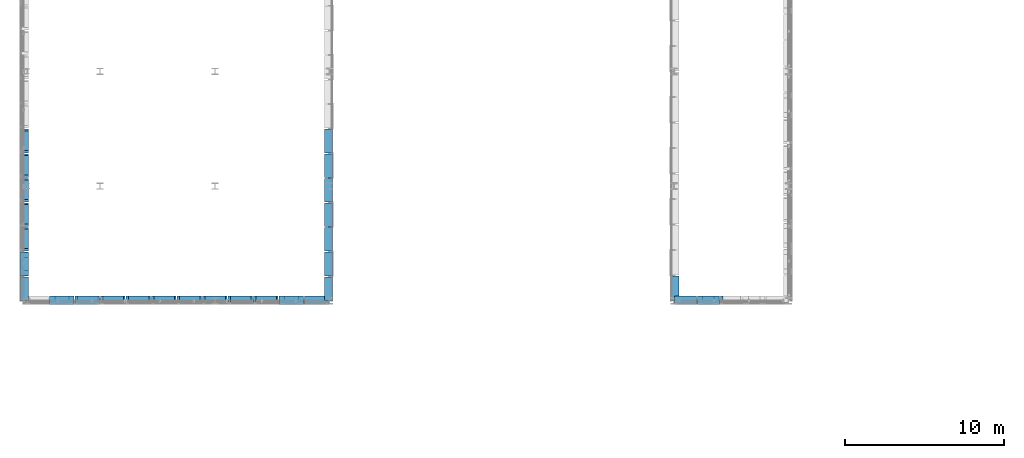
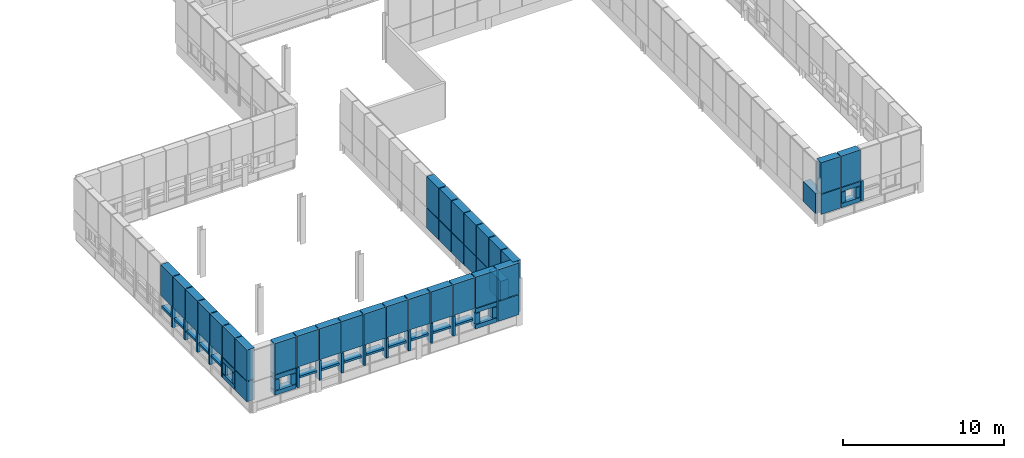
# One storey, part 63 of 96: 81 discrete accessories.
"""IFC4 building model written with IfcOpenShell, lengths in metres."""

from ifc_helpers import new_model, si_unit, direction, frame, origin, origin_2d, place, context, subcontext, project, spatial, rectangle, extrude, material, type_object, element, save


model = new_model("IFC4")

# Units and contexts
model_context = context("Model", 3, precision=1e-05, world=origin(), true_north=direction((0.0, 1.0)))
body_context = subcontext(model_context, "Body", "Model", "MODEL_VIEW")
ifc_project = project(units=[si_unit("LENGTHUNIT", "METRE"), si_unit("AREAUNIT", "SQUARE_METRE"), si_unit("VOLUMEUNIT", "CUBIC_METRE"), si_unit("PLANEANGLEUNIT", "RADIAN"), si_unit("MASSUNIT", "GRAM", prefix="KILO")], contexts=[model_context])

# Site, building, storey
site_placement = place(None, origin())
site = spatial("IfcSite", under=ifc_project, at=site_placement, CompositionType="ELEMENT")
building_placement = place(site_placement, origin())
building = spatial("IfcBuilding", under=site, at=building_placement, Name="Yarey Park Central Fire Station", CompositionType="ELEMENT")
storey_placement = place(building_placement, frame((0.0, 0.0, 14.39990234375)))
storey = spatial("IfcBuildingStorey", under=building, at=storey_placement, Name="L04", CompositionType="ELEMENT", Elevation=14.39990234375)

# Discrete accessories
ifc_material = material(Name="Stainless Steel AISI 316L", Category="steel")
discrete_accessory_type = type_object("IfcDiscreteAccessoryType", Name="ENV_BRK_SS1", PredefinedType="BRACKET", material=ifc_material)
discrete_accessory_1_placement = place(storey_placement, frame((9.64990234375, 22.371337890625, 0.875), z_axis=(0.0, 0.0, 1.0), x_axis=(1.0, 0.0, 0.0)))
element("IfcDiscreteAccessory", 1, at=discrete_accessory_1_placement, inside=storey, type_object=discrete_accessory_type, Name="BRK_PERF_L04_0004", PredefinedType="BRACKET", context=body_context, shape_type="SweptSolid", body=[
    extrude(rectangle(XDim=0.5400390625, YDim=1.48291015625, at=origin_2d()), origin(), (0.0, 0.0, 1.0), 1.52001953125),
])
discrete_accessory_2_placement = place(storey_placement, frame((9.64990234375, 22.371337890625, 2.445068359375), z_axis=(0.0, 0.0, 1.0), x_axis=(1.0, 0.0, 0.0)))
element("IfcDiscreteAccessory", 2, at=discrete_accessory_2_placement, inside=storey, type_object=discrete_accessory_type, Name="BRK_PERF_L04_0005", PredefinedType="BRACKET", context=body_context, shape_type="SweptSolid", body=[
    extrude(rectangle(XDim=0.5400390625, YDim=1.48291015625, at=origin_2d()), origin(), (0.0, 0.0, 1.0), 2.35009765625),
])
for number, where, z_axis, x_axis, name in (
    (3, (9.64990234375, 23.914306640625, 0.8701171875), (0.0, 0.0, 1.0), (1.0, 0.0, 0.0), "BRK_PERF_L04_0012"),
    (4, (9.64990234375, 23.914306640625, 2.080078125), (0.0, 0.0, 1.0), (1.0, 0.0, 0.0), "BRK_PERF_L04_0013"),
):
    element("IfcDiscreteAccessory", number, at=place(storey_placement, frame(where, z_axis=z_axis, x_axis=x_axis)), inside=storey, type_object=discrete_accessory_type, Name=name, PredefinedType="BRACKET", context=body_context, shape_type="SweptSolid", body=[
        extrude(rectangle(XDim=0.5400390625, YDim=1.48291015625, at=origin_2d()), origin(), (0.0, 0.0, 1.0), 0.320068359375),
    ])
for number, where, z_axis, x_axis, name in (
    (5, (9.64990234375, 23.343017578125, 1.23486328125), (0.0, 0.0, 1.0), (1.0, 0.0, 0.0), "BRK_PERF_L04_0014"),
    (6, (9.64990234375, 24.485595703125, 1.23486328125), (0.0, 0.0, 1.0), (1.0, 0.0, 0.0), "BRK_PERF_L04_0015"),
):
    element("IfcDiscreteAccessory", number, at=place(storey_placement, frame(where, z_axis=z_axis, x_axis=x_axis)), inside=storey, type_object=discrete_accessory_type, Name=name, PredefinedType="BRACKET", context=body_context, shape_type="SweptSolid", body=[
        extrude(rectangle(XDim=0.5400390625, YDim=0.320068359375, at=origin_2d()), origin(), (0.0, 0.0, 1.0), 0.800048828125),
    ])
discrete_accessory_3_placement = place(storey_placement, frame((9.64990234375, 23.914306640625, 2.445068359375), z_axis=(0.0, 0.0, 1.0), x_axis=(1.0, 0.0, 0.0)))
element("IfcDiscreteAccessory", 7, at=discrete_accessory_3_placement, inside=storey, type_object=discrete_accessory_type, Name="BRK_PERF_L04_0016", PredefinedType="BRACKET", context=body_context, shape_type="SweptSolid", body=[
    extrude(rectangle(XDim=0.5400390625, YDim=1.48291015625, at=origin_2d()), origin(), (0.0, 0.0, 1.0), 2.35009765625),
])
discrete_accessory_4_placement = place(storey_placement, frame((9.64990234375, 24.795654296875, 0.875), z_axis=(0.0, 0.0, 1.0), x_axis=(1.0, 0.0, 0.0)))
element("IfcDiscreteAccessory", 8, at=discrete_accessory_4_placement, inside=storey, type_object=discrete_accessory_type, Name="BRK_PERF_L04_0021", PredefinedType="BRACKET", context=body_context, shape_type="SweptSolid", body=[
    extrude(rectangle(XDim=0.5400390625, YDim=0.159912109375, at=origin_2d()), origin(), (0.0, 0.0, 1.0), 1.52001953125),
])
discrete_accessory_5_placement = place(storey_placement, frame((9.64990234375, 25.45703125, 1.55517578125), z_axis=(0.0, 0.0, 1.0), x_axis=(1.0, 0.0, 0.0)))
element("IfcDiscreteAccessory", 9, at=discrete_accessory_5_placement, inside=storey, type_object=discrete_accessory_type, Name="BRK_PERF_L04_0022", PredefinedType="BRACKET", context=body_context, shape_type="SweptSolid", body=[
    extrude(rectangle(XDim=0.5400390625, YDim=1.282958984375, at=origin_2d()), origin(), (0.0, 0.0, 1.0), 0.159912109375),
])
discrete_accessory_6_placement = place(storey_placement, frame((9.64990234375, 25.45703125, 2.445068359375), z_axis=(0.0, 0.0, 1.0), x_axis=(1.0, 0.0, 0.0)))
element("IfcDiscreteAccessory", 10, at=discrete_accessory_6_placement, inside=storey, type_object=discrete_accessory_type, Name="BRK_PERF_L04_0023", PredefinedType="BRACKET", context=body_context, shape_type="SweptSolid", body=[
    extrude(rectangle(XDim=0.5400390625, YDim=1.48291015625, at=origin_2d()), origin(), (0.0, 0.0, 1.0), 2.35009765625),
])
discrete_accessory_7_placement = place(storey_placement, frame((9.64990234375, 26.338623046875, 0.875), z_axis=(0.0, 0.0, 1.0), x_axis=(1.0, 0.0, 0.0)))
element("IfcDiscreteAccessory", 11, at=discrete_accessory_7_placement, inside=storey, type_object=discrete_accessory_type, Name="BRK_PERF_L04_0028", PredefinedType="BRACKET", context=body_context, shape_type="SweptSolid", body=[
    extrude(rectangle(XDim=0.5400390625, YDim=0.159912109375, at=origin_2d()), origin(), (0.0, 0.0, 1.0), 1.52001953125),
])
discrete_accessory_8_placement = place(storey_placement, frame((9.64990234375, 27.0, 1.55517578125), z_axis=(0.0, 0.0, 1.0), x_axis=(1.0, 0.0, 0.0)))
element("IfcDiscreteAccessory", 12, at=discrete_accessory_8_placement, inside=storey, type_object=discrete_accessory_type, Name="BRK_PERF_L04_0029", PredefinedType="BRACKET", context=body_context, shape_type="SweptSolid", body=[
    extrude(rectangle(XDim=0.5400390625, YDim=1.282958984375, at=origin_2d()), origin(), (0.0, 0.0, 1.0), 0.159912109375),
])
discrete_accessory_9_placement = place(storey_placement, frame((9.64990234375, 27.0, 2.445068359375), z_axis=(0.0, 0.0, 1.0), x_axis=(1.0, 0.0, 0.0)))
element("IfcDiscreteAccessory", 13, at=discrete_accessory_9_placement, inside=storey, type_object=discrete_accessory_type, Name="BRK_PERF_L04_0030", PredefinedType="BRACKET", context=body_context, shape_type="SweptSolid", body=[
    extrude(rectangle(XDim=0.5400390625, YDim=1.48291015625, at=origin_2d()), origin(), (0.0, 0.0, 1.0), 2.35009765625),
])
discrete_accessory_10_placement = place(storey_placement, frame((9.64990234375, 27.881591796875, 0.875), z_axis=(0.0, 0.0, 1.0), x_axis=(1.0, 0.0, 0.0)))
element("IfcDiscreteAccessory", 14, at=discrete_accessory_10_placement, inside=storey, type_object=discrete_accessory_type, Name="BRK_PERF_L04_0035", PredefinedType="BRACKET", context=body_context, shape_type="SweptSolid", body=[
    extrude(rectangle(XDim=0.5400390625, YDim=0.159912109375, at=origin_2d()), origin(), (0.0, 0.0, 1.0), 1.52001953125),
])
discrete_accessory_11_placement = place(storey_placement, frame((9.64990234375, 28.54296875, 1.55517578125), z_axis=(0.0, 0.0, 1.0), x_axis=(1.0, 0.0, 0.0)))
element("IfcDiscreteAccessory", 15, at=discrete_accessory_11_placement, inside=storey, type_object=discrete_accessory_type, Name="BRK_PERF_L04_0036", PredefinedType="BRACKET", context=body_context, shape_type="SweptSolid", body=[
    extrude(rectangle(XDim=0.5400390625, YDim=1.282958984375, at=origin_2d()), origin(), (0.0, 0.0, 1.0), 0.159912109375),
])
discrete_accessory_12_placement = place(storey_placement, frame((9.64990234375, 28.54296875, 2.445068359375), z_axis=(0.0, 0.0, 1.0), x_axis=(1.0, 0.0, 0.0)))
element("IfcDiscreteAccessory", 16, at=discrete_accessory_12_placement, inside=storey, type_object=discrete_accessory_type, Name="BRK_PERF_L04_0037", PredefinedType="BRACKET", context=body_context, shape_type="SweptSolid", body=[
    extrude(rectangle(XDim=0.5400390625, YDim=1.48291015625, at=origin_2d()), origin(), (0.0, 0.0, 1.0), 2.35009765625),
])
discrete_accessory_13_placement = place(storey_placement, frame((9.64990234375, 29.42431640625, 0.875), z_axis=(0.0, 0.0, 1.0), x_axis=(1.0, 0.0, 0.0)))
element("IfcDiscreteAccessory", 17, at=discrete_accessory_13_placement, inside=storey, type_object=discrete_accessory_type, Name="BRK_PERF_L04_0042", PredefinedType="BRACKET", context=body_context, shape_type="SweptSolid", body=[
    extrude(rectangle(XDim=0.5400390625, YDim=0.159912109375, at=origin_2d()), origin(), (0.0, 0.0, 1.0), 1.52001953125),
])
discrete_accessory_14_placement = place(storey_placement, frame((9.64990234375, 30.085693359375, 1.55517578125), z_axis=(0.0, 0.0, 1.0), x_axis=(1.0, 0.0, 0.0)))
element("IfcDiscreteAccessory", 18, at=discrete_accessory_14_placement, inside=storey, type_object=discrete_accessory_type, Name="BRK_PERF_L04_0043", PredefinedType="BRACKET", context=body_context, shape_type="SweptSolid", body=[
    extrude(rectangle(XDim=0.5400390625, YDim=1.282958984375, at=origin_2d()), origin(), (0.0, 0.0, 1.0), 0.159912109375),
])
discrete_accessory_15_placement = place(storey_placement, frame((9.64990234375, 30.085693359375, 2.445068359375), z_axis=(0.0, 0.0, 1.0), x_axis=(1.0, 0.0, 0.0)))
element("IfcDiscreteAccessory", 19, at=discrete_accessory_15_placement, inside=storey, type_object=discrete_accessory_type, Name="BRK_PERF_L04_0044", PredefinedType="BRACKET", context=body_context, shape_type="SweptSolid", body=[
    extrude(rectangle(XDim=0.5400390625, YDim=1.48291015625, at=origin_2d()), origin(), (0.0, 0.0, 1.0), 2.35009765625),
])
discrete_accessory_16_placement = place(storey_placement, frame((9.64990234375, 30.96728515625, 0.875), z_axis=(0.0, 0.0, 1.0), x_axis=(1.0, 0.0, 0.0)))
element("IfcDiscreteAccessory", 20, at=discrete_accessory_16_placement, inside=storey, type_object=discrete_accessory_type, Name="BRK_PERF_L04_0049", PredefinedType="BRACKET", context=body_context, shape_type="SweptSolid", body=[
    extrude(rectangle(XDim=0.5400390625, YDim=0.159912109375, at=origin_2d()), origin(), (0.0, 0.0, 1.0), 1.52001953125),
])
discrete_accessory_17_placement = place(storey_placement, frame((9.64990234375, 31.628662109375, 1.55517578125), z_axis=(0.0, 0.0, 1.0), x_axis=(1.0, 0.0, 0.0)))
element("IfcDiscreteAccessory", 21, at=discrete_accessory_17_placement, inside=storey, type_object=discrete_accessory_type, Name="BRK_PERF_L04_0050", PredefinedType="BRACKET", context=body_context, shape_type="SweptSolid", body=[
    extrude(rectangle(XDim=0.5400390625, YDim=1.282958984375, at=origin_2d()), origin(), (0.0, 0.0, 1.0), 0.159912109375),
])
discrete_accessory_18_placement = place(storey_placement, frame((9.64990234375, 31.628662109375, 2.445068359375), z_axis=(0.0, 0.0, 1.0), x_axis=(1.0, 0.0, 0.0)))
element("IfcDiscreteAccessory", 22, at=discrete_accessory_18_placement, inside=storey, type_object=discrete_accessory_type, Name="BRK_PERF_L04_0051", PredefinedType="BRACKET", context=body_context, shape_type="SweptSolid", body=[
    extrude(rectangle(XDim=0.5400390625, YDim=1.48291015625, at=origin_2d()), origin(), (0.0, 0.0, 1.0), 2.35009765625),
])
for number, where, z_axis, x_axis, name in (
    (23, (12.0, 21.64990234375, 0.8701171875), (0.0, 0.0, 1.0), (1.0, 0.0, 0.0), "BRK_PERF_L04_0114"),
    (24, (12.0, 21.64990234375, 2.080078125), (0.0, 0.0, 1.0), (1.0, 0.0, 0.0), "BRK_PERF_L04_0115"),
):
    element("IfcDiscreteAccessory", number, at=place(storey_placement, frame(where, z_axis=z_axis, x_axis=x_axis)), inside=storey, type_object=discrete_accessory_type, Name=name, PredefinedType="BRACKET", context=body_context, shape_type="SweptSolid", body=[
        extrude(rectangle(XDim=1.5400390625, YDim=0.5400390625, at=origin_2d()), origin(), (0.0, 0.0, 1.0), 0.320068359375),
    ])
for number, where, z_axis, x_axis, name in (
    (25, (11.39990234375, 21.64990234375, 1.23486328125), (0.0, 0.0, 1.0), (1.0, 0.0, 0.0), "BRK_PERF_L04_0116"),
    (26, (12.60009765625, 21.64990234375, 1.23486328125), (0.0, 0.0, 1.0), (1.0, 0.0, 0.0), "BRK_PERF_L04_0117"),
):
    element("IfcDiscreteAccessory", number, at=place(storey_placement, frame(where, z_axis=z_axis, x_axis=x_axis)), inside=storey, type_object=discrete_accessory_type, Name=name, PredefinedType="BRACKET", context=body_context, shape_type="SweptSolid", body=[
        extrude(rectangle(XDim=0.320068359375, YDim=0.5400390625, at=origin_2d()), origin(), (0.0, 0.0, 1.0), 0.800048828125),
    ])
discrete_accessory_19_placement = place(storey_placement, frame((12.0, 21.64990234375, 2.445068359375), z_axis=(0.0, 0.0, 1.0), x_axis=(1.0, 0.0, 0.0)))
element("IfcDiscreteAccessory", 27, at=discrete_accessory_19_placement, inside=storey, type_object=discrete_accessory_type, Name="BRK_PERF_L04_0118", PredefinedType="BRACKET", context=body_context, shape_type="SweptSolid", body=[
    extrude(rectangle(XDim=1.5400390625, YDim=0.5400390625, at=origin_2d()), origin(), (0.0, 0.0, 1.0), 2.35009765625),
])
discrete_accessory_20_placement = place(storey_placement, frame((12.909912109375, 21.64990234375, 0.875), z_axis=(0.0, 0.0, 1.0), x_axis=(1.0, 0.0, 0.0)))
element("IfcDiscreteAccessory", 28, at=discrete_accessory_20_placement, inside=storey, type_object=discrete_accessory_type, Name="BRK_PERF_L04_0123", PredefinedType="BRACKET", context=body_context, shape_type="SweptSolid", body=[
    extrude(rectangle(XDim=0.159912109375, YDim=0.5400390625, at=origin_2d()), origin(), (0.0, 0.0, 1.0), 1.52001953125),
])
discrete_accessory_21_placement = place(storey_placement, frame((13.60009765625, 21.64990234375, 1.55517578125), z_axis=(0.0, 0.0, 1.0), x_axis=(1.0, 0.0, 0.0)))
element("IfcDiscreteAccessory", 29, at=discrete_accessory_21_placement, inside=storey, type_object=discrete_accessory_type, Name="BRK_PERF_L04_0124", PredefinedType="BRACKET", context=body_context, shape_type="SweptSolid", body=[
    extrude(rectangle(XDim=1.340087890625, YDim=0.5400390625, at=origin_2d()), origin(), (0.0, 0.0, 1.0), 0.159912109375),
])
discrete_accessory_22_placement = place(storey_placement, frame((13.60009765625, 21.64990234375, 2.445068359375), z_axis=(0.0, 0.0, 1.0), x_axis=(1.0, 0.0, 0.0)))
element("IfcDiscreteAccessory", 30, at=discrete_accessory_22_placement, inside=storey, type_object=discrete_accessory_type, Name="BRK_PERF_L04_0125", PredefinedType="BRACKET", context=body_context, shape_type="SweptSolid", body=[
    extrude(rectangle(XDim=1.5400390625, YDim=0.5400390625, at=origin_2d()), origin(), (0.0, 0.0, 1.0), 2.35009765625),
])
discrete_accessory_23_placement = place(storey_placement, frame((14.510009765625, 21.64990234375, 0.875), z_axis=(0.0, 0.0, 1.0), x_axis=(1.0, 0.0, 0.0)))
element("IfcDiscreteAccessory", 31, at=discrete_accessory_23_placement, inside=storey, type_object=discrete_accessory_type, Name="BRK_PERF_L04_0130", PredefinedType="BRACKET", context=body_context, shape_type="SweptSolid", body=[
    extrude(rectangle(XDim=0.159912109375, YDim=0.5400390625, at=origin_2d()), origin(), (0.0, 0.0, 1.0), 1.52001953125),
])
discrete_accessory_24_placement = place(storey_placement, frame((15.199951171875, 21.64990234375, 1.55517578125), z_axis=(0.0, 0.0, 1.0), x_axis=(1.0, 0.0, 0.0)))
element("IfcDiscreteAccessory", 32, at=discrete_accessory_24_placement, inside=storey, type_object=discrete_accessory_type, Name="BRK_PERF_L04_0131", PredefinedType="BRACKET", context=body_context, shape_type="SweptSolid", body=[
    extrude(rectangle(XDim=1.340087890625, YDim=0.5400390625, at=origin_2d()), origin(), (0.0, 0.0, 1.0), 0.159912109375),
])
discrete_accessory_25_placement = place(storey_placement, frame((15.199951171875, 21.64990234375, 2.445068359375), z_axis=(0.0, 0.0, 1.0), x_axis=(1.0, 0.0, 0.0)))
element("IfcDiscreteAccessory", 33, at=discrete_accessory_25_placement, inside=storey, type_object=discrete_accessory_type, Name="BRK_PERF_L04_0132", PredefinedType="BRACKET", context=body_context, shape_type="SweptSolid", body=[
    extrude(rectangle(XDim=1.5400390625, YDim=0.5400390625, at=origin_2d()), origin(), (0.0, 0.0, 1.0), 2.35009765625),
])
discrete_accessory_26_placement = place(storey_placement, frame((16.110107421875, 21.64990234375, 0.875), z_axis=(0.0, 0.0, 1.0), x_axis=(1.0, 0.0, 0.0)))
element("IfcDiscreteAccessory", 34, at=discrete_accessory_26_placement, inside=storey, type_object=discrete_accessory_type, Name="BRK_PERF_L04_0137", PredefinedType="BRACKET", context=body_context, shape_type="SweptSolid", body=[
    extrude(rectangle(XDim=0.159912109375, YDim=0.5400390625, at=origin_2d()), origin(), (0.0, 0.0, 1.0), 1.52001953125),
])
discrete_accessory_27_placement = place(storey_placement, frame((16.800048828125, 21.64990234375, 1.55517578125), z_axis=(0.0, 0.0, 1.0), x_axis=(1.0, 0.0, 0.0)))
element("IfcDiscreteAccessory", 35, at=discrete_accessory_27_placement, inside=storey, type_object=discrete_accessory_type, Name="BRK_PERF_L04_0138", PredefinedType="BRACKET", context=body_context, shape_type="SweptSolid", body=[
    extrude(rectangle(XDim=1.340087890625, YDim=0.5400390625, at=origin_2d()), origin(), (0.0, 0.0, 1.0), 0.159912109375),
])
discrete_accessory_28_placement = place(storey_placement, frame((16.800048828125, 21.64990234375, 2.445068359375), z_axis=(0.0, 0.0, 1.0), x_axis=(1.0, 0.0, 0.0)))
element("IfcDiscreteAccessory", 36, at=discrete_accessory_28_placement, inside=storey, type_object=discrete_accessory_type, Name="BRK_PERF_L04_0139", PredefinedType="BRACKET", context=body_context, shape_type="SweptSolid", body=[
    extrude(rectangle(XDim=1.5400390625, YDim=0.5400390625, at=origin_2d()), origin(), (0.0, 0.0, 1.0), 2.35009765625),
])
discrete_accessory_29_placement = place(storey_placement, frame((17.7099609375, 21.64990234375, 0.875), z_axis=(0.0, 0.0, 1.0), x_axis=(1.0, 0.0, 0.0)))
element("IfcDiscreteAccessory", 37, at=discrete_accessory_29_placement, inside=storey, type_object=discrete_accessory_type, Name="BRK_PERF_L04_0144", PredefinedType="BRACKET", context=body_context, shape_type="SweptSolid", body=[
    extrude(rectangle(XDim=0.159912109375, YDim=0.5400390625, at=origin_2d()), origin(), (0.0, 0.0, 1.0), 1.52001953125),
])
discrete_accessory_30_placement = place(storey_placement, frame((18.39990234375, 21.64990234375, 1.55517578125), z_axis=(0.0, 0.0, 1.0), x_axis=(1.0, 0.0, 0.0)))
element("IfcDiscreteAccessory", 38, at=discrete_accessory_30_placement, inside=storey, type_object=discrete_accessory_type, Name="BRK_PERF_L04_0145", PredefinedType="BRACKET", context=body_context, shape_type="SweptSolid", body=[
    extrude(rectangle(XDim=1.340087890625, YDim=0.5400390625, at=origin_2d()), origin(), (0.0, 0.0, 1.0), 0.159912109375),
])
discrete_accessory_31_placement = place(storey_placement, frame((18.39990234375, 21.64990234375, 2.445068359375), z_axis=(0.0, 0.0, 1.0), x_axis=(1.0, 0.0, 0.0)))
element("IfcDiscreteAccessory", 39, at=discrete_accessory_31_placement, inside=storey, type_object=discrete_accessory_type, Name="BRK_PERF_L04_0146", PredefinedType="BRACKET", context=body_context, shape_type="SweptSolid", body=[
    extrude(rectangle(XDim=1.5400390625, YDim=0.5400390625, at=origin_2d()), origin(), (0.0, 0.0, 1.0), 2.35009765625),
])
discrete_accessory_32_placement = place(storey_placement, frame((19.31005859375, 21.64990234375, 0.875), z_axis=(0.0, 0.0, 1.0), x_axis=(1.0, 0.0, 0.0)))
element("IfcDiscreteAccessory", 40, at=discrete_accessory_32_placement, inside=storey, type_object=discrete_accessory_type, Name="BRK_PERF_L04_0151", PredefinedType="BRACKET", context=body_context, shape_type="SweptSolid", body=[
    extrude(rectangle(XDim=0.159912109375, YDim=0.5400390625, at=origin_2d()), origin(), (0.0, 0.0, 1.0), 1.52001953125),
])
discrete_accessory_33_placement = place(storey_placement, frame((20.0, 21.64990234375, 1.55517578125), z_axis=(0.0, 0.0, 1.0), x_axis=(1.0, 0.0, 0.0)))
element("IfcDiscreteAccessory", 41, at=discrete_accessory_33_placement, inside=storey, type_object=discrete_accessory_type, Name="BRK_PERF_L04_0152", PredefinedType="BRACKET", context=body_context, shape_type="SweptSolid", body=[
    extrude(rectangle(XDim=1.340087890625, YDim=0.5400390625, at=origin_2d()), origin(), (0.0, 0.0, 1.0), 0.159912109375),
])
discrete_accessory_34_placement = place(storey_placement, frame((20.0, 21.64990234375, 2.445068359375), z_axis=(0.0, 0.0, 1.0), x_axis=(1.0, 0.0, 0.0)))
element("IfcDiscreteAccessory", 42, at=discrete_accessory_34_placement, inside=storey, type_object=discrete_accessory_type, Name="BRK_PERF_L04_0153", PredefinedType="BRACKET", context=body_context, shape_type="SweptSolid", body=[
    extrude(rectangle(XDim=1.5400390625, YDim=0.5400390625, at=origin_2d()), origin(), (0.0, 0.0, 1.0), 2.35009765625),
])
discrete_accessory_35_placement = place(storey_placement, frame((20.909912109375, 21.64990234375, 0.875), z_axis=(0.0, 0.0, 1.0), x_axis=(1.0, 0.0, 0.0)))
element("IfcDiscreteAccessory", 43, at=discrete_accessory_35_placement, inside=storey, type_object=discrete_accessory_type, Name="BRK_PERF_L04_0158", PredefinedType="BRACKET", context=body_context, shape_type="SweptSolid", body=[
    extrude(rectangle(XDim=0.159912109375, YDim=0.5400390625, at=origin_2d()), origin(), (0.0, 0.0, 1.0), 1.52001953125),
])
discrete_accessory_36_placement = place(storey_placement, frame((21.60009765625, 21.64990234375, 1.55517578125), z_axis=(0.0, 0.0, 1.0), x_axis=(1.0, 0.0, 0.0)))
element("IfcDiscreteAccessory", 44, at=discrete_accessory_36_placement, inside=storey, type_object=discrete_accessory_type, Name="BRK_PERF_L04_0159", PredefinedType="BRACKET", context=body_context, shape_type="SweptSolid", body=[
    extrude(rectangle(XDim=1.340087890625, YDim=0.5400390625, at=origin_2d()), origin(), (0.0, 0.0, 1.0), 0.159912109375),
])
discrete_accessory_37_placement = place(storey_placement, frame((21.60009765625, 21.64990234375, 2.445068359375), z_axis=(0.0, 0.0, 1.0), x_axis=(1.0, 0.0, 0.0)))
element("IfcDiscreteAccessory", 45, at=discrete_accessory_37_placement, inside=storey, type_object=discrete_accessory_type, Name="BRK_PERF_L04_0160", PredefinedType="BRACKET", context=body_context, shape_type="SweptSolid", body=[
    extrude(rectangle(XDim=1.5400390625, YDim=0.5400390625, at=origin_2d()), origin(), (0.0, 0.0, 1.0), 2.35009765625),
])
discrete_accessory_38_placement = place(storey_placement, frame((22.510009765625, 21.64990234375, 0.875), z_axis=(0.0, 0.0, 1.0), x_axis=(1.0, 0.0, 0.0)))
element("IfcDiscreteAccessory", 46, at=discrete_accessory_38_placement, inside=storey, type_object=discrete_accessory_type, Name="BRK_PERF_L04_0165", PredefinedType="BRACKET", context=body_context, shape_type="SweptSolid", body=[
    extrude(rectangle(XDim=0.159912109375, YDim=0.5400390625, at=origin_2d()), origin(), (0.0, 0.0, 1.0), 1.52001953125),
])
discrete_accessory_39_placement = place(storey_placement, frame((23.199951171875, 21.64990234375, 1.55517578125), z_axis=(0.0, 0.0, 1.0), x_axis=(1.0, 0.0, 0.0)))
element("IfcDiscreteAccessory", 47, at=discrete_accessory_39_placement, inside=storey, type_object=discrete_accessory_type, Name="BRK_PERF_L04_0166", PredefinedType="BRACKET", context=body_context, shape_type="SweptSolid", body=[
    extrude(rectangle(XDim=1.340087890625, YDim=0.5400390625, at=origin_2d()), origin(), (0.0, 0.0, 1.0), 0.159912109375),
])
discrete_accessory_40_placement = place(storey_placement, frame((23.199951171875, 21.64990234375, 2.445068359375), z_axis=(0.0, 0.0, 1.0), x_axis=(1.0, 0.0, 0.0)))
element("IfcDiscreteAccessory", 48, at=discrete_accessory_40_placement, inside=storey, type_object=discrete_accessory_type, Name="BRK_PERF_L04_0167", PredefinedType="BRACKET", context=body_context, shape_type="SweptSolid", body=[
    extrude(rectangle(XDim=1.5400390625, YDim=0.5400390625, at=origin_2d()), origin(), (0.0, 0.0, 1.0), 2.35009765625),
])
discrete_accessory_41_placement = place(storey_placement, frame((24.110107421875, 21.64990234375, 0.875), z_axis=(0.0, 0.0, 1.0), x_axis=(1.0, 0.0, 0.0)))
element("IfcDiscreteAccessory", 49, at=discrete_accessory_41_placement, inside=storey, type_object=discrete_accessory_type, Name="BRK_PERF_L04_0172", PredefinedType="BRACKET", context=body_context, shape_type="SweptSolid", body=[
    extrude(rectangle(XDim=0.159912109375, YDim=0.5400390625, at=origin_2d()), origin(), (0.0, 0.0, 1.0), 1.52001953125),
])
discrete_accessory_42_placement = place(storey_placement, frame((24.800048828125, 21.64990234375, 1.55517578125), z_axis=(0.0, 0.0, 1.0), x_axis=(1.0, 0.0, 0.0)))
element("IfcDiscreteAccessory", 50, at=discrete_accessory_42_placement, inside=storey, type_object=discrete_accessory_type, Name="BRK_PERF_L04_0173", PredefinedType="BRACKET", context=body_context, shape_type="SweptSolid", body=[
    extrude(rectangle(XDim=1.340087890625, YDim=0.5400390625, at=origin_2d()), origin(), (0.0, 0.0, 1.0), 0.159912109375),
])
discrete_accessory_43_placement = place(storey_placement, frame((24.800048828125, 21.64990234375, 2.445068359375), z_axis=(0.0, 0.0, 1.0), x_axis=(1.0, 0.0, 0.0)))
element("IfcDiscreteAccessory", 51, at=discrete_accessory_43_placement, inside=storey, type_object=discrete_accessory_type, Name="BRK_PERF_L04_0174", PredefinedType="BRACKET", context=body_context, shape_type="SweptSolid", body=[
    extrude(rectangle(XDim=1.5400390625, YDim=0.5400390625, at=origin_2d()), origin(), (0.0, 0.0, 1.0), 2.35009765625),
])
for number, where, z_axis, x_axis, name in (
    (52, (26.39990234375, 21.64990234375, 0.8701171875), (0.0, 0.0, 1.0), (1.0, 0.0, 0.0), "BRK_PERF_L04_0181"),
    (53, (26.39990234375, 21.64990234375, 2.080078125), (0.0, 0.0, 1.0), (1.0, 0.0, 0.0), "BRK_PERF_L04_0182"),
):
    element("IfcDiscreteAccessory", number, at=place(storey_placement, frame(where, z_axis=z_axis, x_axis=x_axis)), inside=storey, type_object=discrete_accessory_type, Name=name, PredefinedType="BRACKET", context=body_context, shape_type="SweptSolid", body=[
        extrude(rectangle(XDim=1.5400390625, YDim=0.5400390625, at=origin_2d()), origin(), (0.0, 0.0, 1.0), 0.320068359375),
    ])
for number, where, z_axis, x_axis, name in (
    (54, (25.800048828125, 21.64990234375, 1.23486328125), (0.0, 0.0, 1.0), (1.0, 0.0, 0.0), "BRK_PERF_L04_0183"),
    (55, (27.0, 21.64990234375, 1.23486328125), (0.0, 0.0, 1.0), (1.0, 0.0, 0.0), "BRK_PERF_L04_0184"),
):
    element("IfcDiscreteAccessory", number, at=place(storey_placement, frame(where, z_axis=z_axis, x_axis=x_axis)), inside=storey, type_object=discrete_accessory_type, Name=name, PredefinedType="BRACKET", context=body_context, shape_type="SweptSolid", body=[
        extrude(rectangle(XDim=0.320068359375, YDim=0.5400390625, at=origin_2d()), origin(), (0.0, 0.0, 1.0), 0.800048828125),
    ])
discrete_accessory_44_placement = place(storey_placement, frame((26.39990234375, 21.64990234375, 2.445068359375), z_axis=(0.0, 0.0, 1.0), x_axis=(1.0, 0.0, 0.0)))
element("IfcDiscreteAccessory", 56, at=discrete_accessory_44_placement, inside=storey, type_object=discrete_accessory_type, Name="BRK_PERF_L04_0185", PredefinedType="BRACKET", context=body_context, shape_type="SweptSolid", body=[
    extrude(rectangle(XDim=1.5400390625, YDim=0.5400390625, at=origin_2d()), origin(), (0.0, 0.0, 1.0), 2.35009765625),
])
discrete_accessory_45_placement = place(storey_placement, frame((28.0, 21.64990234375, 0.875), z_axis=(0.0, 0.0, 1.0), x_axis=(1.0, 0.0, 0.0)))
element("IfcDiscreteAccessory", 57, at=discrete_accessory_45_placement, inside=storey, type_object=discrete_accessory_type, Name="BRK_PERF_L04_0189", PredefinedType="BRACKET", context=body_context, shape_type="SweptSolid", body=[
    extrude(rectangle(XDim=1.5400390625, YDim=0.5400390625, at=origin_2d()), origin(), (0.0, 0.0, 1.0), 1.52001953125),
])
discrete_accessory_46_placement = place(storey_placement, frame((28.0, 21.64990234375, 2.445068359375), z_axis=(0.0, 0.0, 1.0), x_axis=(1.0, 0.0, 0.0)))
element("IfcDiscreteAccessory", 58, at=discrete_accessory_46_placement, inside=storey, type_object=discrete_accessory_type, Name="BRK_PERF_L04_0190", PredefinedType="BRACKET", context=body_context, shape_type="SweptSolid", body=[
    extrude(rectangle(XDim=1.5400390625, YDim=0.5400390625, at=origin_2d()), origin(), (0.0, 0.0, 1.0), 2.35009765625),
])
discrete_accessory_47_placement = place(storey_placement, frame((51.1201171875, 21.64990234375, 0.875), z_axis=(0.0, 0.0, 1.0), x_axis=(1.0, 0.0, 0.0)))
element("IfcDiscreteAccessory", 59, at=discrete_accessory_47_placement, inside=storey, type_object=discrete_accessory_type, Name="BRK_PERF_L04_0268", PredefinedType="BRACKET", context=body_context, shape_type="SweptSolid", body=[
    extrude(rectangle(XDim=1.3798828125, YDim=0.5400390625, at=origin_2d()), origin(), (0.0, 0.0, 1.0), 1.52001953125),
])
discrete_accessory_48_placement = place(storey_placement, frame((51.1201171875, 21.64990234375, 2.445068359375), z_axis=(0.0, 0.0, 1.0), x_axis=(1.0, 0.0, 0.0)))
element("IfcDiscreteAccessory", 60, at=discrete_accessory_48_placement, inside=storey, type_object=discrete_accessory_type, Name="BRK_PERF_L04_0269", PredefinedType="BRACKET", context=body_context, shape_type="SweptSolid", body=[
    extrude(rectangle(XDim=1.3798828125, YDim=0.5400390625, at=origin_2d()), origin(), (0.0, 0.0, 1.0), 2.35009765625),
])
for number, where, z_axis, x_axis, name in (
    (61, (52.56005859375, 21.64990234375, 0.8701171875), (0.0, 0.0, 1.0), (1.0, 0.0, 0.0), "BRK_PERF_L04_0276"),
    (62, (52.56005859375, 21.64990234375, 2.080078125), (0.0, 0.0, 1.0), (1.0, 0.0, 0.0), "BRK_PERF_L04_0277"),
):
    element("IfcDiscreteAccessory", number, at=place(storey_placement, frame(where, z_axis=z_axis, x_axis=x_axis)), inside=storey, type_object=discrete_accessory_type, Name=name, PredefinedType="BRACKET", context=body_context, shape_type="SweptSolid", body=[
        extrude(rectangle(XDim=1.3798828125, YDim=0.5400390625, at=origin_2d()), origin(), (0.0, 0.0, 1.0), 0.320068359375),
    ])
for number, where, z_axis, x_axis, name in (
    (63, (52.0400390625, 21.64990234375, 1.23486328125), (0.0, 0.0, 1.0), (1.0, 0.0, 0.0), "BRK_PERF_L04_0278"),
    (64, (53.080078125, 21.64990234375, 1.23486328125), (0.0, 0.0, 1.0), (1.0, 0.0, 0.0), "BRK_PERF_L04_0279"),
):
    element("IfcDiscreteAccessory", number, at=place(storey_placement, frame(where, z_axis=z_axis, x_axis=x_axis)), inside=storey, type_object=discrete_accessory_type, Name=name, PredefinedType="BRACKET", context=body_context, shape_type="SweptSolid", body=[
        extrude(rectangle(XDim=0.320068359375, YDim=0.5400390625, at=origin_2d()), origin(), (0.0, 0.0, 1.0), 0.800048828125),
    ])
discrete_accessory_49_placement = place(storey_placement, frame((52.56005859375, 21.64990234375, 2.445068359375), z_axis=(0.0, 0.0, 1.0), x_axis=(1.0, 0.0, 0.0)))
element("IfcDiscreteAccessory", 65, at=discrete_accessory_49_placement, inside=storey, type_object=discrete_accessory_type, Name="BRK_PERF_L04_0280", PredefinedType="BRACKET", context=body_context, shape_type="SweptSolid", body=[
    extrude(rectangle(XDim=1.3798828125, YDim=0.5400390625, at=origin_2d()), origin(), (0.0, 0.0, 1.0), 2.35009765625),
])
discrete_accessory_50_placement = place(storey_placement, frame((53.389892578125, 21.64990234375, 0.875), z_axis=(0.0, 0.0, 1.0), x_axis=(1.0, 0.0, 0.0)))
element("IfcDiscreteAccessory", 66, at=discrete_accessory_50_placement, inside=storey, type_object=discrete_accessory_type, Name="BRK_PERF_L04_0285", PredefinedType="BRACKET", context=body_context, shape_type="SweptSolid", body=[
    extrude(rectangle(XDim=0.159912109375, YDim=0.5400390625, at=origin_2d()), origin(), (0.0, 0.0, 1.0), 1.52001953125),
])
discrete_accessory_51_placement = place(storey_placement, frame((28.75, 22.371337890625, 0.875), z_axis=(0.0, 0.0, 1.0), x_axis=(1.0, 0.0, 0.0)))
element("IfcDiscreteAccessory", 67, at=discrete_accessory_51_placement, inside=storey, type_object=discrete_accessory_type, Name="BRK_PERF_L04_0920", PredefinedType="BRACKET", context=body_context, shape_type="SweptSolid", body=[
    extrude(rectangle(XDim=0.5400390625, YDim=1.48291015625, at=origin_2d()), origin(), (0.0, 0.0, 1.0), 1.52001953125),
])
discrete_accessory_52_placement = place(storey_placement, frame((28.75, 22.371337890625, 2.445068359375), z_axis=(0.0, 0.0, 1.0), x_axis=(1.0, 0.0, 0.0)))
element("IfcDiscreteAccessory", 68, at=discrete_accessory_52_placement, inside=storey, type_object=discrete_accessory_type, Name="BRK_PERF_L04_0921", PredefinedType="BRACKET", context=body_context, shape_type="SweptSolid", body=[
    extrude(rectangle(XDim=0.5400390625, YDim=1.48291015625, at=origin_2d()), origin(), (0.0, 0.0, 1.0), 2.35009765625),
])
discrete_accessory_53_placement = place(storey_placement, frame((28.75, 23.914306640625, 0.875), z_axis=(0.0, 0.0, 1.0), x_axis=(1.0, 0.0, 0.0)))
element("IfcDiscreteAccessory", 69, at=discrete_accessory_53_placement, inside=storey, type_object=discrete_accessory_type, Name="BRK_PERF_L04_0925", PredefinedType="BRACKET", context=body_context, shape_type="SweptSolid", body=[
    extrude(rectangle(XDim=0.5400390625, YDim=1.48291015625, at=origin_2d()), origin(), (0.0, 0.0, 1.0), 1.52001953125),
])
discrete_accessory_54_placement = place(storey_placement, frame((28.75, 23.914306640625, 2.445068359375), z_axis=(0.0, 0.0, 1.0), x_axis=(1.0, 0.0, 0.0)))
element("IfcDiscreteAccessory", 70, at=discrete_accessory_54_placement, inside=storey, type_object=discrete_accessory_type, Name="BRK_PERF_L04_0926", PredefinedType="BRACKET", context=body_context, shape_type="SweptSolid", body=[
    extrude(rectangle(XDim=0.5400390625, YDim=1.48291015625, at=origin_2d()), origin(), (0.0, 0.0, 1.0), 2.35009765625),
])
discrete_accessory_55_placement = place(storey_placement, frame((28.75, 25.45703125, 0.875), z_axis=(0.0, 0.0, 1.0), x_axis=(1.0, 0.0, 0.0)))
element("IfcDiscreteAccessory", 71, at=discrete_accessory_55_placement, inside=storey, type_object=discrete_accessory_type, Name="BRK_PERF_L04_0930", PredefinedType="BRACKET", context=body_context, shape_type="SweptSolid", body=[
    extrude(rectangle(XDim=0.5400390625, YDim=1.48291015625, at=origin_2d()), origin(), (0.0, 0.0, 1.0), 1.52001953125),
])
discrete_accessory_56_placement = place(storey_placement, frame((28.75, 25.45703125, 2.445068359375), z_axis=(0.0, 0.0, 1.0), x_axis=(1.0, 0.0, 0.0)))
element("IfcDiscreteAccessory", 72, at=discrete_accessory_56_placement, inside=storey, type_object=discrete_accessory_type, Name="BRK_PERF_L04_0931", PredefinedType="BRACKET", context=body_context, shape_type="SweptSolid", body=[
    extrude(rectangle(XDim=0.5400390625, YDim=1.48291015625, at=origin_2d()), origin(), (0.0, 0.0, 1.0), 2.35009765625),
])
discrete_accessory_57_placement = place(storey_placement, frame((28.75, 27.0, 0.875), z_axis=(0.0, 0.0, 1.0), x_axis=(1.0, 0.0, 0.0)))
element("IfcDiscreteAccessory", 73, at=discrete_accessory_57_placement, inside=storey, type_object=discrete_accessory_type, Name="BRK_PERF_L04_0935", PredefinedType="BRACKET", context=body_context, shape_type="SweptSolid", body=[
    extrude(rectangle(XDim=0.5400390625, YDim=1.48291015625, at=origin_2d()), origin(), (0.0, 0.0, 1.0), 1.52001953125),
])
discrete_accessory_58_placement = place(storey_placement, frame((28.75, 27.0, 2.445068359375), z_axis=(0.0, 0.0, 1.0), x_axis=(1.0, 0.0, 0.0)))
element("IfcDiscreteAccessory", 74, at=discrete_accessory_58_placement, inside=storey, type_object=discrete_accessory_type, Name="BRK_PERF_L04_0936", PredefinedType="BRACKET", context=body_context, shape_type="SweptSolid", body=[
    extrude(rectangle(XDim=0.5400390625, YDim=1.48291015625, at=origin_2d()), origin(), (0.0, 0.0, 1.0), 2.35009765625),
])
discrete_accessory_59_placement = place(storey_placement, frame((28.75, 28.54296875, 0.875), z_axis=(0.0, 0.0, 1.0), x_axis=(1.0, 0.0, 0.0)))
element("IfcDiscreteAccessory", 75, at=discrete_accessory_59_placement, inside=storey, type_object=discrete_accessory_type, Name="BRK_PERF_L04_0940", PredefinedType="BRACKET", context=body_context, shape_type="SweptSolid", body=[
    extrude(rectangle(XDim=0.5400390625, YDim=1.48291015625, at=origin_2d()), origin(), (0.0, 0.0, 1.0), 1.52001953125),
])
discrete_accessory_60_placement = place(storey_placement, frame((28.75, 28.54296875, 2.445068359375), z_axis=(0.0, 0.0, 1.0), x_axis=(1.0, 0.0, 0.0)))
element("IfcDiscreteAccessory", 76, at=discrete_accessory_60_placement, inside=storey, type_object=discrete_accessory_type, Name="BRK_PERF_L04_0941", PredefinedType="BRACKET", context=body_context, shape_type="SweptSolid", body=[
    extrude(rectangle(XDim=0.5400390625, YDim=1.48291015625, at=origin_2d()), origin(), (0.0, 0.0, 1.0), 2.35009765625),
])
discrete_accessory_61_placement = place(storey_placement, frame((28.75, 30.085693359375, 0.875), z_axis=(0.0, 0.0, 1.0), x_axis=(1.0, 0.0, 0.0)))
element("IfcDiscreteAccessory", 77, at=discrete_accessory_61_placement, inside=storey, type_object=discrete_accessory_type, Name="BRK_PERF_L04_0945", PredefinedType="BRACKET", context=body_context, shape_type="SweptSolid", body=[
    extrude(rectangle(XDim=0.5400390625, YDim=1.48291015625, at=origin_2d()), origin(), (0.0, 0.0, 1.0), 1.52001953125),
])
discrete_accessory_62_placement = place(storey_placement, frame((28.75, 30.085693359375, 2.445068359375), z_axis=(0.0, 0.0, 1.0), x_axis=(1.0, 0.0, 0.0)))
element("IfcDiscreteAccessory", 78, at=discrete_accessory_62_placement, inside=storey, type_object=discrete_accessory_type, Name="BRK_PERF_L04_0946", PredefinedType="BRACKET", context=body_context, shape_type="SweptSolid", body=[
    extrude(rectangle(XDim=0.5400390625, YDim=1.48291015625, at=origin_2d()), origin(), (0.0, 0.0, 1.0), 2.35009765625),
])
discrete_accessory_63_placement = place(storey_placement, frame((28.75, 31.628662109375, 0.875), z_axis=(0.0, 0.0, 1.0), x_axis=(1.0, 0.0, 0.0)))
element("IfcDiscreteAccessory", 79, at=discrete_accessory_63_placement, inside=storey, type_object=discrete_accessory_type, Name="BRK_PERF_L04_0950", PredefinedType="BRACKET", context=body_context, shape_type="SweptSolid", body=[
    extrude(rectangle(XDim=0.5400390625, YDim=1.48291015625, at=origin_2d()), origin(), (0.0, 0.0, 1.0), 1.52001953125),
])
discrete_accessory_64_placement = place(storey_placement, frame((28.75, 31.628662109375, 2.445068359375), z_axis=(0.0, 0.0, 1.0), x_axis=(1.0, 0.0, 0.0)))
element("IfcDiscreteAccessory", 80, at=discrete_accessory_64_placement, inside=storey, type_object=discrete_accessory_type, Name="BRK_PERF_L04_0951", PredefinedType="BRACKET", context=body_context, shape_type="SweptSolid", body=[
    extrude(rectangle(XDim=0.5400390625, YDim=1.48291015625, at=origin_2d()), origin(), (0.0, 0.0, 1.0), 2.35009765625),
])
discrete_accessory_65_placement = place(storey_placement, frame((50.449951171875, 22.39990234375, 0.875), z_axis=(0.0, 0.0, 1.0), x_axis=(1.0, 0.0, 0.0)))
element("IfcDiscreteAccessory", 81, at=discrete_accessory_65_placement, inside=storey, type_object=discrete_accessory_type, Name="BRK_PERF_L04_0990", PredefinedType="BRACKET", context=body_context, shape_type="SweptSolid", body=[
    extrude(rectangle(XDim=0.5400390625, YDim=1.5400390625, at=origin_2d()), origin(), (0.0, 0.0, 1.0), 1.52001953125),
])

save(model, "model.ifc")
